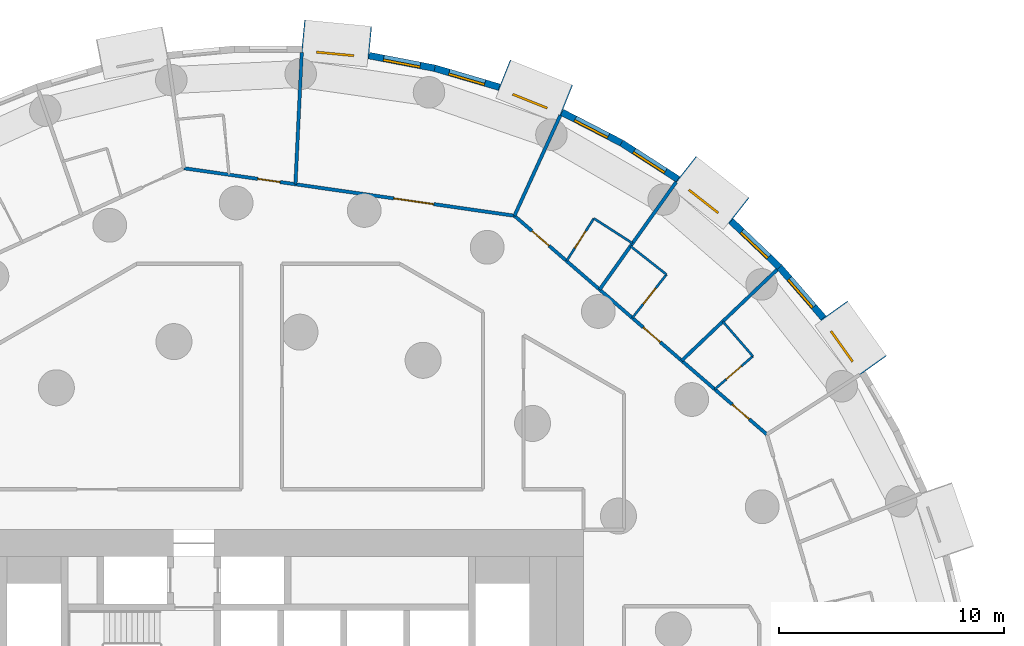
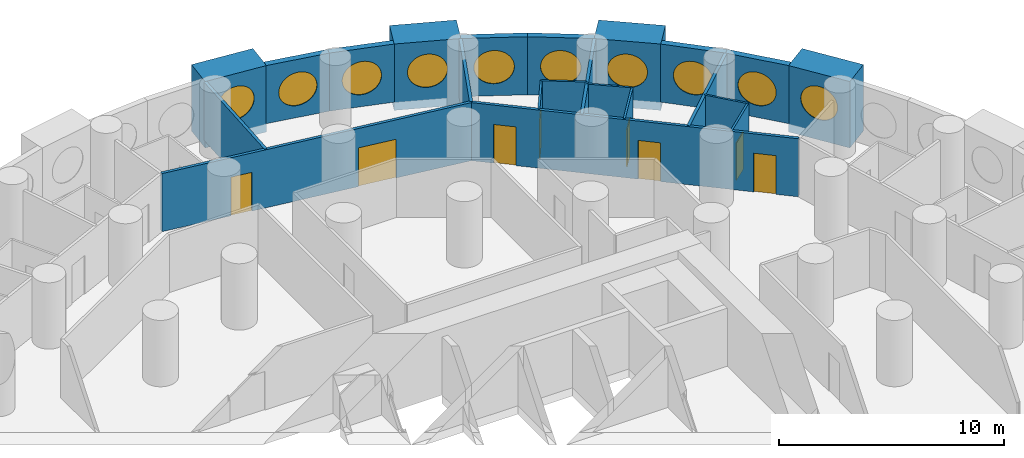
# One storey, part 10 of 12: 22 walls, 10 windows, 8 doors, 18 openings.
"""IFC4 building model written with IfcOpenShell, lengths in metres."""

from ifc_helpers import new_model, si_unit, direction, frame, frame_2d, origin, origin_2d, place, context, subcontext, project, spatial, rectangle, circle, extrude, material, layer, layer_set, type_object, element, fill, save


model = new_model("IFC4")

# Units and contexts
model_context = context("Model", 3, precision=1e-05, world=origin(), true_north=direction((0.0, 1.0)))
body_context = subcontext(model_context, "Body", "Model", "MODEL_VIEW")
ifc_project = project(units=[si_unit("LENGTHUNIT", "METRE"), si_unit("AREAUNIT", "SQUARE_METRE"), si_unit("VOLUMEUNIT", "CUBIC_METRE"), si_unit("PLANEANGLEUNIT", "RADIAN"), si_unit("MASSUNIT", "GRAM", prefix="KILO")], contexts=[model_context])

# Site, building, storey
site_placement = place(None, origin())
site = spatial("IfcSite", under=ifc_project, at=site_placement, CompositionType="ELEMENT")
building_placement = place(site_placement, origin())
building = spatial("IfcBuilding", under=site, at=building_placement, Name="Tracery Tower", CompositionType="ELEMENT")
storey_placement = place(building_placement, frame((0.0, 0.0, 28.199951171875)))
storey = spatial("IfcBuildingStorey", under=building, at=storey_placement, Name="L05", CompositionType="ELEMENT", Elevation=28.199951171875)

# Wall, opening, window
ifc_material_1 = material(Name="Precast concrete C50/60", Category="concrete")
ifc_layer_1 = layer(ifc_material_1, 1.449951171875)
ifc_layer_set_1 = layer_set([ifc_layer_1], Name="Deep-set bay unit 3000 x 3600, slab edge 450")
wall_type_1 = type_object("IfcWallType", Name="Deep-set bay unit 3000 x 3600, slab edge 450", PredefinedType="ELEMENTEDWALL", material=ifc_layer_set_1)
wall_1_placement = place(storey_placement, frame((26.866455078125, 17.2900390625, -0.449951171875), z_axis=(0.0, 0.0, 1.0), x_axis=(-0.580090570606, 0.814551981088, 0.0)))
wall_1 = element("IfcWall", 1, at=wall_1_placement, inside=storey, type_object=wall_type_1, Name="Deep-set bay unit 7 at L05", PredefinedType="ELEMENTEDWALL", context=body_context, shape_type="SweptSolid", body=[
    extrude(rectangle(XDim=3.0, YDim=1.449951171875, at=frame_2d((1.5, 0.0))), origin(), (0.0, 0.0, 1.0), 3.60009765625),
])
opening_1_placement = place(wall_1_placement, frame((1.5, 0.0, 2.0)))
opening_1 = element("IfcOpeningElement", 2, at=opening_1_placement, cuts=wall_1, Name="Opening WN1", PredefinedType="OPENING", context=body_context, shape_type="SweptSolid", body=[
    extrude(circle(Radius=0.9000244140625, at=origin_2d()), frame((0.0, 0.73486328125, 0.0), z_axis=(0.0, -1.0, 0.0), x_axis=(1.0, 0.0, 0.0)), (0.0, 0.0, 1.0), 1.469970703125),
])
ifc_material_2 = material(Name="Aluminium frame with tinted double glazing", Category="aluminium")
window_type = type_object("IfcWindowType", Name="Round window 1800", PartitioningType="SINGLE_PANEL", PredefinedType="WINDOW", material=ifc_material_2)
window_1_placement = place(opening_1_placement, origin())
window_1 = element("IfcWindow", 3, at=window_1_placement, inside=storey, type_object=window_type, Name="Round window 7 at L05", OverallHeight=1.800048828125, OverallWidth=1.800048828125, PartitioningType="SINGLE_PANEL", PredefinedType="WINDOW", context=body_context, shape_type="SweptSolid", body=[
    extrude(circle(Radius=0.9000244140625, at=origin_2d()), frame((0.0, 0.69482421875, 0.0), z_axis=(0.0, -1.0, 0.0), x_axis=(1.0, 0.0, 0.0)), (0.0, 0.0, 1.0), 0.10009765625),
])
fill(opening_1, window_1)

wall_2_placement = place(storey_placement, frame((20.906982421875, 24.15869140625, -0.449951171875), z_axis=(0.0, 0.0, 1.0), x_axis=(-0.786049992888, 0.618162930529, 0.0)))
wall_2 = element("IfcWall", 4, at=wall_2_placement, inside=storey, type_object=wall_type_1, Name="Deep-set bay unit 10 at L05", PredefinedType="ELEMENTEDWALL", context=body_context, shape_type="SweptSolid", body=[
    extrude(rectangle(XDim=3.0, YDim=1.449951171875, at=frame_2d((1.5, 0.0))), origin(), (0.0, 0.0, 1.0), 3.60009765625),
])
opening_2_placement = place(wall_2_placement, frame((1.5, 0.0, 2.0)))
opening_2 = element("IfcOpeningElement", 5, at=opening_2_placement, cuts=wall_2, Name="Opening WN1", PredefinedType="OPENING", context=body_context, shape_type="SweptSolid", body=[
    extrude(circle(Radius=0.9000244140625, at=origin_2d()), frame((0.0, 0.73486328125, 0.0), z_axis=(0.0, -1.0, 0.0), x_axis=(1.0, 0.0, 0.0)), (0.0, 0.0, 1.0), 1.469970703125),
])
window_2_placement = place(opening_2_placement, origin())
window_2 = element("IfcWindow", 6, at=window_2_placement, inside=storey, type_object=window_type, Name="Round window 10 at L05", OverallHeight=1.800048828125, OverallWidth=1.800048828125, PartitioningType="SINGLE_PANEL", PredefinedType="WINDOW", context=body_context, shape_type="SweptSolid", body=[
    extrude(circle(Radius=0.9000244140625, at=origin_2d()), frame((0.0, 0.69482421875, 0.0), z_axis=(0.0, -1.0, 0.0), x_axis=(1.0, 0.0, 0.0)), (0.0, 0.0, 1.0), 0.10009765625),
])
fill(opening_2, window_2)

wall_3_placement = place(storey_placement, frame((13.253662109375, 29.0703125, -0.449951171875), z_axis=(0.0, 0.0, 1.0), x_axis=(-0.928358776184, 0.371685327504, 0.0)))
wall_3 = element("IfcWall", 7, at=wall_3_placement, inside=storey, type_object=wall_type_1, Name="Deep-set bay unit 13 at L05", PredefinedType="ELEMENTEDWALL", context=body_context, shape_type="SweptSolid", body=[
    extrude(rectangle(XDim=2.999755859375, YDim=1.449951171875, at=frame_2d((1.5, 0.0))), origin(), (0.0, 0.0, 1.0), 3.60009765625),
])
opening_3_placement = place(wall_3_placement, frame((1.5, 0.0, 2.0)))
opening_3 = element("IfcOpeningElement", 8, at=opening_3_placement, cuts=wall_3, Name="Opening WN1", PredefinedType="OPENING", context=body_context, shape_type="SweptSolid", body=[
    extrude(circle(Radius=0.9000244140625, at=origin_2d()), frame((0.0, 0.73486328125, 0.0), z_axis=(0.0, -1.0, 0.0), x_axis=(1.0, 0.0, 0.0)), (0.0, 0.0, 1.0), 1.469970703125),
])
window_3_placement = place(opening_3_placement, origin())
window_3 = element("IfcWindow", 9, at=window_3_placement, inside=storey, type_object=window_type, Name="Round window 13 at L05", OverallHeight=1.800048828125, OverallWidth=1.800048828125, PartitioningType="SINGLE_PANEL", PredefinedType="WINDOW", context=body_context, shape_type="SweptSolid", body=[
    extrude(circle(Radius=0.9000244140625, at=origin_2d()), frame((0.0, 0.69482421875, 0.0), z_axis=(0.0, -1.0, 0.0), x_axis=(1.0, 0.0, 0.0)), (0.0, 0.0, 1.0), 0.10009765625),
])
fill(opening_3, window_3)

wall_4_placement = place(storey_placement, frame((4.52685546875, 31.626708984375, -0.449951171875), z_axis=(0.0, 0.0, 1.0), x_axis=(-0.995472768558, 0.09504718333, 0.0)))
wall_4 = element("IfcWall", 10, at=wall_4_placement, inside=storey, type_object=wall_type_1, Name="Deep-set bay unit 16 at L05", PredefinedType="ELEMENTEDWALL", context=body_context, shape_type="SweptSolid", body=[
    extrude(rectangle(XDim=3.000244140625, YDim=1.449951171875, at=frame_2d((1.5, 0.0))), origin(), (0.0, 0.0, 1.0), 3.60009765625),
])
opening_4_placement = place(wall_4_placement, frame((1.5, 0.0, 2.0)))
opening_4 = element("IfcOpeningElement", 11, at=opening_4_placement, cuts=wall_4, Name="Opening WN1", PredefinedType="OPENING", context=body_context, shape_type="SweptSolid", body=[
    extrude(circle(Radius=0.9000244140625, at=origin_2d()), frame((0.0, 0.73486328125, 0.0), z_axis=(0.0, -1.0, 0.0), x_axis=(1.0, 0.0, 0.0)), (0.0, 0.0, 1.0), 1.469970703125),
])
window_4_placement = place(opening_4_placement, origin())
window_4 = element("IfcWindow", 12, at=window_4_placement, inside=storey, type_object=window_type, Name="Round window 16 at L05", OverallHeight=1.800048828125, OverallWidth=1.800048828125, PartitioningType="SINGLE_PANEL", PredefinedType="WINDOW", context=body_context, shape_type="SweptSolid", body=[
    extrude(circle(Radius=0.9000244140625, at=origin_2d()), frame((0.0, 0.69482421875, 0.0), z_axis=(0.0, -1.0, 0.0), x_axis=(1.0, 0.0, 0.0)), (0.0, 0.0, 1.0), 0.10009765625),
])
fill(opening_4, window_4)

ifc_material_3 = material(Name="Precast concrete C50/60", Category="concrete")
ifc_layer_2 = layer(ifc_material_3, 0.300048828125)
ifc_layer_set_2 = layer_set([ifc_layer_2], Name="Facade panel 3000 x 3150")
wall_type_2 = type_object("IfcWallType", Name="Facade panel 3000 x 3150", PredefinedType="SOLIDWALL", material=ifc_layer_set_2)
wall_5_placement = place(storey_placement, frame((24.657958984375, 19.39892578125, 0.0), z_axis=(0.0, 0.0, 1.0), x_axis=(-0.654830712471, 0.755775587066, 0.0)))
wall_5 = element("IfcWall", 13, at=wall_5_placement, inside=storey, type_object=wall_type_2, Name="Facade panel 8 at L05", PredefinedType="SOLIDWALL", context=body_context, shape_type="SweptSolid", body=[
    extrude(rectangle(XDim=2.979736328125, YDim=0.300048828125, at=frame_2d((1.48974609375, 0.0))), origin(), (0.0, 0.0, 1.0), 3.150146484375),
])
opening_5_placement = place(wall_5_placement, frame((1.48974609375, 0.0, 1.5498046875)))
opening_5 = element("IfcOpeningElement", 14, at=opening_5_placement, cuts=wall_5, Name="Opening WN1", PredefinedType="OPENING", context=body_context, shape_type="SweptSolid", body=[
    extrude(circle(Radius=0.9000244140625, at=origin_2d()), frame((0.0, 0.159912109375, 0.0), z_axis=(0.0, -1.0, 0.0), x_axis=(1.0, 0.0, 0.0)), (0.0, 0.0, 1.0), 0.320068359375),
])
window_5_placement = place(opening_5_placement, origin())
window_5 = element("IfcWindow", 15, at=window_5_placement, inside=storey, type_object=window_type, Name="Round window 8 at L05", OverallHeight=1.800048828125, OverallWidth=1.800048828125, PartitioningType="SINGLE_PANEL", PredefinedType="WINDOW", context=body_context, shape_type="SweptSolid", body=[
    extrude(circle(Radius=0.9000244140625, at=origin_2d()), frame((0.0, 0.1201171875, 0.0), z_axis=(0.0, -1.0, 0.0), x_axis=(1.0, 0.0, 0.0)), (0.0, 0.0, 1.0), 0.10009765625),
])
fill(opening_5, window_5)

wall_6_placement = place(storey_placement, frame((22.706787109375, 21.65087890625, 0.0), z_axis=(0.0, 0.0, 1.0), x_axis=(-0.723744206617, 0.690068346896, 0.0)))
wall_6 = element("IfcWall", 16, at=wall_6_placement, inside=storey, type_object=wall_type_2, Name="Facade panel 9 at L05", PredefinedType="SOLIDWALL", context=body_context, shape_type="SweptSolid", body=[
    extrude(rectangle(XDim=2.979736328125, YDim=0.300048828125, at=frame_2d((1.48974609375, 0.0))), origin(), (0.0, 0.0, 1.0), 3.150146484375),
])
opening_6_placement = place(wall_6_placement, frame((1.48974609375, 0.0, 1.5498046875)))
opening_6 = element("IfcOpeningElement", 17, at=opening_6_placement, cuts=wall_6, Name="Opening WN1", PredefinedType="OPENING", context=body_context, shape_type="SweptSolid", body=[
    extrude(circle(Radius=0.9000244140625, at=origin_2d()), frame((0.0, 0.159912109375, 0.0), z_axis=(0.0, -1.0, 0.0), x_axis=(1.0, 0.0, 0.0)), (0.0, 0.0, 1.0), 0.320068359375),
])
window_6_placement = place(opening_6_placement, origin())
window_6 = element("IfcWindow", 18, at=window_6_placement, inside=storey, type_object=window_type, Name="Round window 9 at L05", OverallHeight=1.800048828125, OverallWidth=1.800048828125, PartitioningType="SINGLE_PANEL", PredefinedType="WINDOW", context=body_context, shape_type="SweptSolid", body=[
    extrude(circle(Radius=0.9000244140625, at=origin_2d()), frame((0.0, 0.1201171875, 0.0), z_axis=(0.0, -1.0, 0.0), x_axis=(1.0, 0.0, 0.0)), (0.0, 0.0, 1.0), 0.10009765625),
])
fill(opening_6, window_6)

wall_7_placement = place(storey_placement, frame((18.19384765625, 25.56005859375, 0.0), z_axis=(0.0, 0.0, 1.0), x_axis=(-0.84122372879, 0.540687190639, 0.0)))
wall_7 = element("IfcWall", 19, at=wall_7_placement, inside=storey, type_object=wall_type_2, Name="Facade panel 11 at L05", PredefinedType="SOLIDWALL", context=body_context, shape_type="SweptSolid", body=[
    extrude(rectangle(XDim=2.979736328125, YDim=0.300048828125, at=frame_2d((1.48974609375, 0.0))), origin(), (0.0, 0.0, 1.0), 3.150146484375),
])
opening_7_placement = place(wall_7_placement, frame((1.48974609375, 0.0, 1.5498046875)))
opening_7 = element("IfcOpeningElement", 20, at=opening_7_placement, cuts=wall_7, Name="Opening WN1", PredefinedType="OPENING", context=body_context, shape_type="SweptSolid", body=[
    extrude(circle(Radius=0.9000244140625, at=origin_2d()), frame((0.0, 0.159912109375, 0.0), z_axis=(0.0, -1.0, 0.0), x_axis=(1.0, 0.0, 0.0)), (0.0, 0.0, 1.0), 0.320068359375),
])
window_7_placement = place(opening_7_placement, origin())
window_7 = element("IfcWindow", 21, at=window_7_placement, inside=storey, type_object=window_type, Name="Round window 11 at L05", OverallHeight=1.800048828125, OverallWidth=1.800048828125, PartitioningType="SINGLE_PANEL", PredefinedType="WINDOW", context=body_context, shape_type="SweptSolid", body=[
    extrude(circle(Radius=0.9000244140625, at=origin_2d()), frame((0.0, 0.1201171875, 0.0), z_axis=(0.0, -1.0, 0.0), x_axis=(1.0, 0.0, 0.0)), (0.0, 0.0, 1.0), 0.10009765625),
])
fill(opening_7, window_7)

wall_8_placement = place(storey_placement, frame((15.687255859375, 27.171142578125, 0.0), z_axis=(0.0, 0.0, 1.0), x_axis=(-0.888853225096, 0.4581920386, 0.0)))
wall_8 = element("IfcWall", 22, at=wall_8_placement, inside=storey, type_object=wall_type_2, Name="Facade panel 12 at L05", PredefinedType="SOLIDWALL", context=body_context, shape_type="SweptSolid", body=[
    extrude(rectangle(XDim=2.9794921875, YDim=0.300048828125, at=frame_2d((1.48974609375, 0.0))), origin(), (0.0, 0.0, 1.0), 3.150146484375),
])
opening_8_placement = place(wall_8_placement, frame((1.48974609375, 0.0, 1.5498046875)))
opening_8 = element("IfcOpeningElement", 23, at=opening_8_placement, cuts=wall_8, Name="Opening WN1", PredefinedType="OPENING", context=body_context, shape_type="SweptSolid", body=[
    extrude(circle(Radius=0.9000244140625, at=origin_2d()), frame((0.0, 0.159912109375, 0.0), z_axis=(0.0, -1.0, 0.0), x_axis=(1.0, 0.0, 0.0)), (0.0, 0.0, 1.0), 0.320068359375),
])
window_8_placement = place(opening_8_placement, origin())
window_8 = element("IfcWindow", 24, at=window_8_placement, inside=storey, type_object=window_type, Name="Round window 12 at L05", OverallHeight=1.800048828125, OverallWidth=1.800048828125, PartitioningType="SINGLE_PANEL", PredefinedType="WINDOW", context=body_context, shape_type="SweptSolid", body=[
    extrude(circle(Radius=0.9000244140625, at=origin_2d()), frame((0.0, 0.1201171875, 0.0), z_axis=(0.0, -1.0, 0.0), x_axis=(1.0, 0.0, 0.0)), (0.0, 0.0, 1.0), 0.10009765625),
])
fill(opening_8, window_8)

wall_9_placement = place(storey_placement, frame((10.255859375, 29.650634765625, 0.0), z_axis=(0.0, 0.0, 1.0), x_axis=(-0.959507586834, 0.28168278401, 0.0)))
wall_9 = element("IfcWall", 25, at=wall_9_placement, inside=storey, type_object=wall_type_2, Name="Facade panel 14 at L05", PredefinedType="SOLIDWALL", context=body_context, shape_type="SweptSolid", body=[
    extrude(rectangle(XDim=2.979736328125, YDim=0.300048828125, at=frame_2d((1.48974609375, 0.0))), origin(), (0.0, 0.0, 1.0), 3.150146484375),
])
opening_9_placement = place(wall_9_placement, frame((1.48974609375, 0.0, 1.5498046875)))
opening_9 = element("IfcOpeningElement", 26, at=opening_9_placement, cuts=wall_9, Name="Opening WN1", PredefinedType="OPENING", context=body_context, shape_type="SweptSolid", body=[
    extrude(circle(Radius=0.9000244140625, at=origin_2d()), frame((0.0, 0.159912109375, 0.0), z_axis=(0.0, -1.0, 0.0), x_axis=(1.0, 0.0, 0.0)), (0.0, 0.0, 1.0), 0.320068359375),
])
window_9_placement = place(opening_9_placement, origin())
window_9 = element("IfcWindow", 27, at=window_9_placement, inside=storey, type_object=window_type, Name="Round window 14 at L05", OverallHeight=1.800048828125, OverallWidth=1.800048828125, PartitioningType="SINGLE_PANEL", PredefinedType="WINDOW", context=body_context, shape_type="SweptSolid", body=[
    extrude(circle(Radius=0.9000244140625, at=origin_2d()), frame((0.0, 0.1201171875, 0.0), z_axis=(0.0, -1.0, 0.0), x_axis=(1.0, 0.0, 0.0)), (0.0, 0.0, 1.0), 0.10009765625),
])
fill(opening_9, window_9)

wall_10_placement = place(storey_placement, frame((7.396728515625, 30.489990234375, 0.0), z_axis=(0.0, 0.0, 1.0), x_axis=(-0.981924535406, 0.189272836848, 0.0)))
wall_10 = element("IfcWall", 28, at=wall_10_placement, inside=storey, type_object=wall_type_2, Name="Facade panel 15 at L05", PredefinedType="SOLIDWALL", context=body_context, shape_type="SweptSolid", body=[
    extrude(rectangle(XDim=2.979736328125, YDim=0.300048828125, at=frame_2d((1.48974609375, 0.0))), origin(), (0.0, 0.0, 1.0), 3.150146484375),
])
opening_10_placement = place(wall_10_placement, frame((1.48974609375, 0.0, 1.5498046875)))
opening_10 = element("IfcOpeningElement", 29, at=opening_10_placement, cuts=wall_10, Name="Opening WN1", PredefinedType="OPENING", context=body_context, shape_type="SweptSolid", body=[
    extrude(circle(Radius=0.9000244140625, at=origin_2d()), frame((0.0, 0.159912109375, 0.0), z_axis=(0.0, -1.0, 0.0), x_axis=(1.0, 0.0, 0.0)), (0.0, 0.0, 1.0), 0.320068359375),
])
window_10_placement = place(opening_10_placement, origin())
window_10 = element("IfcWindow", 30, at=window_10_placement, inside=storey, type_object=window_type, Name="Round window 15 at L05", OverallHeight=1.800048828125, OverallWidth=1.800048828125, PartitioningType="SINGLE_PANEL", PredefinedType="WINDOW", context=body_context, shape_type="SweptSolid", body=[
    extrude(circle(Radius=0.9000244140625, at=origin_2d()), frame((0.0, 0.1201171875, 0.0), z_axis=(0.0, -1.0, 0.0), x_axis=(1.0, 0.0, 0.0)), (0.0, 0.0, 1.0), 0.10009765625),
])
fill(opening_10, window_10)

# Wall, opening, door
ifc_material_4 = material(Name="Plasterboard on steel studs", Category="steel")
ifc_layer_3 = layer(ifc_material_4, 0.10009765625)
ifc_layer_set_3 = layer_set([ifc_layer_3], Name="Partition 100 wet wall")
wall_type_3 = type_object("IfcWallType", Name="Partition 100 wet wall", PredefinedType="PARTITIONING", material=ifc_layer_set_3)
wall_11_placement = place(storey_placement, frame((19.825927734375, 16.23388671875, 0.0), z_axis=(0.0, 0.0, 1.0), x_axis=(0.755703447798, 0.654913963042, 0.0)))
wall_11 = element("IfcWall", 31, at=wall_11_placement, inside=storey, type_object=wall_type_3, Name="Wet wall RA1-068", PredefinedType="PARTITIONING", context=body_context, shape_type="SweptSolid", body=[
    extrude(rectangle(XDim=2.242919921875, YDim=0.10009765625, at=frame_2d((1.12158203125, 0.0))), origin(), (0.0, 0.0, 1.0), 3.150146484375),
])
opening_11_placement = place(wall_11_placement, frame((0.6708984375, 0.0, 0.0)))
opening_11 = element("IfcOpeningElement", 32, at=opening_11_placement, cuts=wall_11, Name="Opening RA1-15", PredefinedType="OPENING", context=body_context, shape_type="SweptSolid", body=[
    extrude(rectangle(XDim=0.89990234375, YDim=2.0400390625, at=frame_2d((0.449951171875, 1.02001953125))), frame((0.0, 0.050048828125, 0.0), z_axis=(0.0, -1.0, 0.0), x_axis=(1.0, 0.0, 0.0)), (0.0, 0.0, 1.0), 0.10009765625),
])
ifc_material_5 = material(Name="Timber door leaf", Category="wood")
door_type_1 = type_object("IfcDoorType", Name="Door en-suite 900", OperationType="NOTDEFINED", PredefinedType="DOOR", material=ifc_material_5)
door_1_placement = place(opening_11_placement, origin())
door_1 = element("IfcDoor", 33, at=door_1_placement, inside=storey, type_object=door_type_1, Name="En-suite door RA1-15", OperationType="SINGLE_SWING_LEFT", OverallHeight=2.0400390625, OverallWidth=0.89990234375, PredefinedType="DOOR", context=body_context, shape_type="SweptSolid", body=[
    extrude(rectangle(XDim=0.89990234375, YDim=2.0400390625, at=frame_2d((0.449951171875, 1.02001953125))), frame((0.0, 0.02490234375, 0.0), z_axis=(0.0, -1.0, 0.0), x_axis=(1.0, 0.0, 0.0)), (0.0, 0.0, 1.0), 0.050048828125),
])
fill(opening_11, door_1)

# Wall
wall_12_placement = place(storey_placement, frame((20.18408203125, 19.2451171875, 0.0), z_axis=(0.0, 0.0, 1.0), x_axis=(0.655017058368, -0.755614090159, 0.0)))
element("IfcWall", 34, at=wall_12_placement, inside=storey, type_object=wall_type_3, Name="Wet wall RA1-069", PredefinedType="PARTITIONING", context=body_context, shape_type="SweptSolid", body=[
    extrude(rectangle(XDim=2.041015625, YDim=0.10009765625, at=frame_2d((1.0205078125, 0.0))), origin(), (0.0, 0.0, 1.0), 3.150146484375),
])

# Wall, opening, door
wall_13_placement = place(storey_placement, frame((16.16796875, 19.404052734375, 0.0), z_axis=(0.0, 0.0, 1.0), x_axis=(0.618142414415, 0.786066126672, 0.0)))
wall_13 = element("IfcWall", 35, at=wall_13_placement, inside=storey, type_object=wall_type_3, Name="Wet wall RA1-071", PredefinedType="PARTITIONING", context=body_context, shape_type="SweptSolid", body=[
    extrude(rectangle(XDim=2.45263671875, YDim=0.10009765625, at=frame_2d((1.226318359375, 0.0))), origin(), (0.0, 0.0, 1.0), 3.150146484375),
])
opening_12_placement = place(wall_13_placement, frame((0.77587890625, 0.0, 0.0)))
opening_12 = element("IfcOpeningElement", 36, at=opening_12_placement, cuts=wall_13, Name="Opening RA1-17", PredefinedType="OPENING", context=body_context, shape_type="SweptSolid", body=[
    extrude(rectangle(XDim=0.89990234375, YDim=2.0400390625, at=frame_2d((0.449951171875, 1.02001953125))), frame((0.0, 0.050048828125, 0.0), z_axis=(0.0, -1.0, 0.0), x_axis=(1.0, 0.0, 0.0)), (0.0, 0.0, 1.0), 0.10009765625),
])
door_2_placement = place(opening_12_placement, origin())
door_2 = element("IfcDoor", 37, at=door_2_placement, inside=storey, type_object=door_type_1, Name="En-suite door RA1-17", OperationType="SINGLE_SWING_LEFT", OverallHeight=2.0400390625, OverallWidth=0.89990234375, PredefinedType="DOOR", context=body_context, shape_type="SweptSolid", body=[
    extrude(rectangle(XDim=0.89990234375, YDim=2.0400390625, at=frame_2d((0.449951171875, 1.02001953125))), frame((0.0, 0.02490234375, 0.0), z_axis=(0.0, -1.0, 0.0), x_axis=(1.0, 0.0, 0.0)), (0.0, 0.0, 1.0), 0.050048828125),
])
fill(opening_12, door_2)

# Walls
wall_14_placement = place(storey_placement, frame((16.0859375, 22.589111328125, 0.0), z_axis=(0.0, 0.0, 1.0), x_axis=(0.785984904201, -0.618245687707, 0.0)))
element("IfcWall", 38, at=wall_14_placement, inside=storey, type_object=wall_type_3, Name="Wet wall RA1-072", PredefinedType="PARTITIONING", context=body_context, shape_type="SweptSolid", body=[
    extrude(rectangle(XDim=2.033203125, YDim=0.10009765625, at=frame_2d((1.0166015625, 0.0))), origin(), (0.0, 0.0, 1.0), 3.150146484375),
])
wall_15_placement = place(storey_placement, frame((14.4599609375, 23.821044921875, 0.0), z_axis=(0.0, 0.0, 1.0), x_axis=(0.841135728185, -0.540824081168, 0.0)))
element("IfcWall", 39, at=wall_15_placement, inside=storey, type_object=wall_type_3, Name="Wet wall RA1-074", PredefinedType="PARTITIONING", context=body_context, shape_type="SweptSolid", body=[
    extrude(rectangle(XDim=2.041259765625, YDim=0.10009765625, at=frame_2d((1.0205078125, 0.0))), origin(), (0.0, 0.0, 1.0), 3.150146484375),
])

# Wall, opening, door
wall_16_placement = place(storey_placement, frame((13.248046875, 21.93505859375, 0.0), z_axis=(0.0, 0.0, 1.0), x_axis=(0.540597960994, 0.841281073464, 0.0)))
wall_16 = element("IfcWall", 40, at=wall_16_placement, inside=storey, type_object=wall_type_3, Name="Wet wall RA1-075", PredefinedType="PARTITIONING", context=body_context, shape_type="SweptSolid", body=[
    extrude(rectangle(XDim=2.24169921875, YDim=0.10009765625, at=frame_2d((1.120849609375, 0.0))), origin(), (0.0, 0.0, 1.0), 3.150146484375),
])
opening_13_placement = place(wall_16_placement, frame((0.6708984375, 0.0, 0.0)))
opening_13 = element("IfcOpeningElement", 41, at=opening_13_placement, cuts=wall_16, Name="Opening RA1-19", PredefinedType="OPENING", context=body_context, shape_type="SweptSolid", body=[
    extrude(rectangle(XDim=0.89990234375, YDim=2.0400390625, at=frame_2d((0.449951171875, 1.02001953125))), frame((0.0, 0.050048828125, 0.0), z_axis=(0.0, -1.0, 0.0), x_axis=(1.0, 0.0, 0.0)), (0.0, 0.0, 1.0), 0.10009765625),
])
door_3_placement = place(opening_13_placement, origin())
door_3 = element("IfcDoor", 42, at=door_3_placement, inside=storey, type_object=door_type_1, Name="En-suite door RA1-19", OperationType="SINGLE_SWING_RIGHT", OverallHeight=2.0400390625, OverallWidth=0.89990234375, PredefinedType="DOOR", context=body_context, shape_type="SweptSolid", body=[
    extrude(rectangle(XDim=0.89990234375, YDim=2.0400390625, at=frame_2d((0.449951171875, 1.02001953125))), frame((0.0, 0.02490234375, 0.0), z_axis=(0.0, -1.0, 0.0), x_axis=(1.0, 0.0, 0.0)), (0.0, 0.0, 1.0), 0.050048828125),
])
fill(opening_13, door_3)

# Walls
ifc_material_6 = material(Name="Plasterboard on steel studs", Category="steel")
ifc_layer_4 = layer(ifc_material_6, 0.14990234375)
ifc_layer_set_4 = layer_set([ifc_layer_4], Name="Partition 150 acoustic unit wall")
wall_type_4 = type_object("IfcWallType", Name="Partition 150 acoustic unit wall", PredefinedType="PARTITIONING", material=ifc_layer_set_4)
wall_17_placement = place(storey_placement, frame((18.359619140625, 17.50537109375, 0.0), z_axis=(0.0, 0.0, 1.0), x_axis=(0.723686703731, 0.690128650937, 0.0)))
element("IfcWall", 43, at=wall_17_placement, inside=storey, type_object=wall_type_4, Name="Unit wall RA1-070", PredefinedType="PARTITIONING", context=body_context, shape_type="SweptSolid", body=[
    extrude(rectangle(XDim=5.8564453125, YDim=0.14990234375, at=frame_2d((2.92822265625, 0.0))), origin(), (0.0, 0.0, 1.0), 3.150146484375),
])
wall_18_placement = place(storey_placement, frame((14.71533203125, 20.663818359375, 0.0), z_axis=(0.0, 0.0, 1.0), x_axis=(0.57995989616, 0.814645026282, 0.0)))
element("IfcWall", 44, at=wall_18_placement, inside=storey, type_object=wall_type_4, Name="Unit wall RA1-073", PredefinedType="PARTITIONING", context=body_context, shape_type="SweptSolid", body=[
    extrude(rectangle(XDim=5.85693359375, YDim=0.14990234375, at=frame_2d((2.928466796875, 0.0))), origin(), (0.0, 0.0, 1.0), 3.150146484375),
])
wall_19_placement = place(storey_placement, frame((10.93310546875, 23.93994140625, 0.0), z_axis=(0.0, 0.0, 1.0), x_axis=(0.415346954488, 0.909663073559, 0.0)))
element("IfcWall", 45, at=wall_19_placement, inside=storey, type_object=wall_type_4, Name="Unit wall RA1-076", PredefinedType="PARTITIONING", context=body_context, shape_type="SweptSolid", body=[
    extrude(rectangle(XDim=4.90625, YDim=0.14990234375, at=frame_2d((2.453125, 0.0))), origin(), (0.0, 0.0, 1.0), 3.150146484375),
])
wall_20_placement = place(storey_placement, frame((1.20703125, 25.339111328125, 0.0), z_axis=(0.0, 0.0, 1.0), x_axis=(0.047648334785, 0.998864173045, 0.0)))
element("IfcWall", 46, at=wall_20_placement, inside=storey, type_object=wall_type_4, Name="Unit wall RA1-077", PredefinedType="PARTITIONING", context=body_context, shape_type="SweptSolid", body=[
    extrude(rectangle(XDim=5.8564453125, YDim=0.14990234375, at=frame_2d((2.92822265625, 0.0))), origin(), (0.0, 0.0, 1.0), 3.150146484375),
])

# Wall, openings, doors
ifc_material_7 = material(Name="Plasterboard on steel studs", Category="steel")
ifc_layer_5 = layer(ifc_material_7, 0.14990234375)
ifc_layer_set_5 = layer_set([ifc_layer_5], Name="Partition 150 corridor wall")
wall_type_5 = type_object("IfcWallType", Name="Partition 150 corridor wall", PredefinedType="PARTITIONING", material=ifc_layer_set_5)
wall_21_placement = place(storey_placement, frame((10.93212890625, 23.93896484375, 0.0), z_axis=(0.0, 0.0, 1.0), x_axis=(0.755838982892, -0.654757536757, 0.0)))
wall_21 = element("IfcWall", 47, at=wall_21_placement, inside=storey, type_object=wall_type_5, Name="Corridor wall RA1-021", PredefinedType="PARTITIONING", context=body_context, shape_type="SweptSolid", body=[
    extrude(rectangle(XDim=14.829833984375, YDim=0.14990234375, at=frame_2d((7.4150390625, 0.0))), origin(), (0.0, 0.0, 1.0), 3.150146484375),
])
opening_14_placement = place(wall_21_placement, frame((12.7958984375, 0.0, 0.0)))
opening_14 = element("IfcOpeningElement", 48, at=opening_14_placement, cuts=wall_21, Name="Opening RA1-16", PredefinedType="OPENING", context=body_context, shape_type="SweptSolid", body=[
    extrude(rectangle(XDim=1.0, YDim=2.10009765625, at=frame_2d((0.5, 1.050048828125))), frame((0.0, 0.074951171875, 0.0), z_axis=(0.0, -1.0, 0.0), x_axis=(1.0, 0.0, 0.0)), (0.0, 0.0, 1.0), 0.14990234375),
])
opening_15_placement = place(wall_21_placement, frame((7.571533203125, 0.0, 0.0)))
opening_15 = element("IfcOpeningElement", 49, at=opening_15_placement, cuts=wall_21, Name="Opening RA1-18", PredefinedType="OPENING", context=body_context, shape_type="SweptSolid", body=[
    extrude(rectangle(XDim=1.0, YDim=2.10009765625, at=frame_2d((0.5, 1.050048828125))), frame((0.0, 0.074951171875, 0.0), z_axis=(0.0, -1.0, 0.0), x_axis=(1.0, 0.0, 0.0)), (0.0, 0.0, 1.0), 0.14990234375),
])
opening_16_placement = place(wall_21_placement, frame((1.032958984375, 0.0, 0.0)))
opening_16 = element("IfcOpeningElement", 50, at=opening_16_placement, cuts=wall_21, Name="Opening RA1-20", PredefinedType="OPENING", context=body_context, shape_type="SweptSolid", body=[
    extrude(rectangle(XDim=1.0, YDim=2.10009765625, at=frame_2d((0.5, 1.050048828125))), frame((0.0, 0.074951171875, 0.0), z_axis=(0.0, -1.0, 0.0), x_axis=(1.0, 0.0, 0.0)), (0.0, 0.0, 1.0), 0.14990234375),
])
ifc_material_8 = material(Name="Timber door leaf", Category="wood")
door_type_2 = type_object("IfcDoorType", Name="Door unit entrance 1000", OperationType="NOTDEFINED", PredefinedType="DOOR", material=ifc_material_8)
door_4_placement = place(opening_14_placement, origin())
door_4 = element("IfcDoor", 51, at=door_4_placement, inside=storey, type_object=door_type_2, Name="Unit entrance door RA1-16", OperationType="SINGLE_SWING_LEFT", OverallHeight=2.10009765625, OverallWidth=1.0, PredefinedType="DOOR", context=body_context, shape_type="SweptSolid", body=[
    extrude(rectangle(XDim=1.0, YDim=2.10009765625, at=frame_2d((0.5, 1.050048828125))), frame((0.0, 0.02490234375, 0.0), z_axis=(0.0, -1.0, 0.0), x_axis=(1.0, 0.0, 0.0)), (0.0, 0.0, 1.0), 0.050048828125),
])
fill(opening_14, door_4)
door_5_placement = place(opening_15_placement, origin())
door_5 = element("IfcDoor", 52, at=door_5_placement, inside=storey, type_object=door_type_2, Name="Unit entrance door RA1-18", OperationType="SINGLE_SWING_LEFT", OverallHeight=2.10009765625, OverallWidth=1.0, PredefinedType="DOOR", context=body_context, shape_type="SweptSolid", body=[
    extrude(rectangle(XDim=1.0, YDim=2.10009765625, at=frame_2d((0.5, 1.050048828125))), frame((0.0, 0.02490234375, 0.0), z_axis=(0.0, -1.0, 0.0), x_axis=(1.0, 0.0, 0.0)), (0.0, 0.0, 1.0), 0.050048828125),
])
fill(opening_15, door_5)
door_6_placement = place(opening_16_placement, origin())
door_6 = element("IfcDoor", 53, at=door_6_placement, inside=storey, type_object=door_type_2, Name="Unit entrance door RA1-20", OperationType="SINGLE_SWING_LEFT", OverallHeight=2.10009765625, OverallWidth=1.0, PredefinedType="DOOR", context=body_context, shape_type="SweptSolid", body=[
    extrude(rectangle(XDim=1.0, YDim=2.10009765625, at=frame_2d((0.5, 1.050048828125))), frame((0.0, 0.02490234375, 0.0), z_axis=(0.0, -1.0, 0.0), x_axis=(1.0, 0.0, 0.0)), (0.0, 0.0, 1.0), 0.050048828125),
])
fill(opening_16, door_6)

wall_22_placement = place(storey_placement, frame((-3.74609375, 26.050537109375, 0.0), z_axis=(0.0, 0.0, 1.0), x_axis=(0.989821009857, -0.142317843033, 0.0)))
wall_22 = element("IfcWall", 54, at=wall_22_placement, inside=storey, type_object=wall_type_5, Name="Corridor wall RA1-034", PredefinedType="PARTITIONING", context=body_context, shape_type="SweptSolid", body=[
    extrude(rectangle(XDim=14.830078125, YDim=0.14990234375, at=frame_2d((7.4150390625, 0.0))), origin(), (0.0, 0.0, 1.0), 3.150146484375),
])
opening_17_placement = place(wall_22_placement, frame((9.4150390625, 0.0, 0.0)))
opening_17 = element("IfcOpeningElement", 55, at=opening_17_placement, cuts=wall_22, Name="Opening RA1-21", PredefinedType="OPENING", context=body_context, shape_type="SweptSolid", body=[
    extrude(rectangle(XDim=1.800048828125, YDim=2.10009765625, at=frame_2d((0.89990234375, 1.050048828125))), frame((0.0, 0.074951171875, 0.0), z_axis=(0.0, -1.0, 0.0), x_axis=(1.0, 0.0, 0.0)), (0.0, 0.0, 1.0), 0.14990234375),
])
opening_18_placement = place(wall_22_placement, frame((3.313720703125, 0.0, 0.0)))
opening_18 = element("IfcOpeningElement", 56, at=opening_18_placement, cuts=wall_22, Name="Opening RA1-23", PredefinedType="OPENING", context=body_context, shape_type="SweptSolid", body=[
    extrude(rectangle(XDim=1.0, YDim=2.10009765625, at=frame_2d((0.5, 1.050048828125))), frame((0.0, 0.074951171875, 0.0), z_axis=(0.0, -1.0, 0.0), x_axis=(1.0, 0.0, 0.0)), (0.0, 0.0, 1.0), 0.14990234375),
])
ifc_material_9 = material(Name="Timber door leaf", Category="wood")
door_type_3 = type_object("IfcDoorType", Name="Door double lounge 1800", OperationType="NOTDEFINED", PredefinedType="DOOR", material=ifc_material_9)
door_7_placement = place(opening_17_placement, origin())
door_7 = element("IfcDoor", 57, at=door_7_placement, inside=storey, type_object=door_type_3, Name="Double lounge door RA1-21", OperationType="DOUBLE_DOOR_SINGLE_SWING", OverallHeight=2.10009765625, OverallWidth=1.800048828125, PredefinedType="DOOR", context=body_context, shape_type="SweptSolid", body=[
    extrude(rectangle(XDim=1.800048828125, YDim=2.10009765625, at=frame_2d((0.89990234375, 1.050048828125))), frame((0.0, 0.02490234375, 0.0), z_axis=(0.0, -1.0, 0.0), x_axis=(1.0, 0.0, 0.0)), (0.0, 0.0, 1.0), 0.050048828125),
])
fill(opening_17, door_7)
door_8_placement = place(opening_18_placement, origin())
door_8 = element("IfcDoor", 58, at=door_8_placement, inside=storey, type_object=door_type_2, Name="Unit entrance door RA1-23", OperationType="SINGLE_SWING_RIGHT", OverallHeight=2.10009765625, OverallWidth=1.0, PredefinedType="DOOR", context=body_context, shape_type="SweptSolid", body=[
    extrude(rectangle(XDim=1.0, YDim=2.10009765625, at=frame_2d((0.5, 1.050048828125))), frame((0.0, 0.02490234375, 0.0), z_axis=(0.0, -1.0, 0.0), x_axis=(1.0, 0.0, 0.0)), (0.0, 0.0, 1.0), 0.050048828125),
])
fill(opening_18, door_8)

save(model, "model.ifc")
